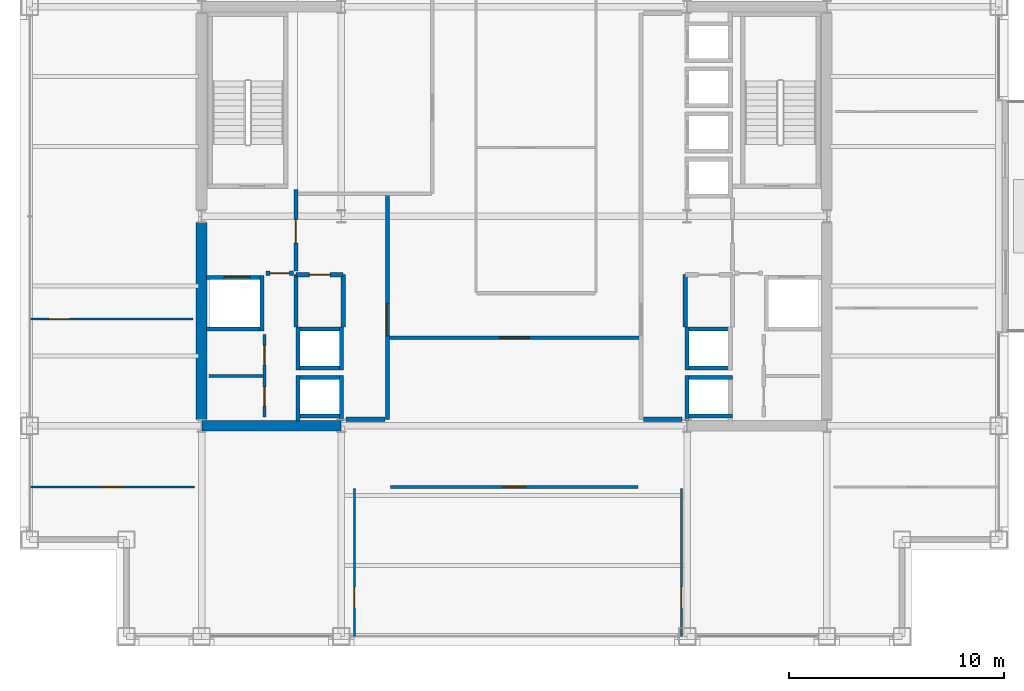
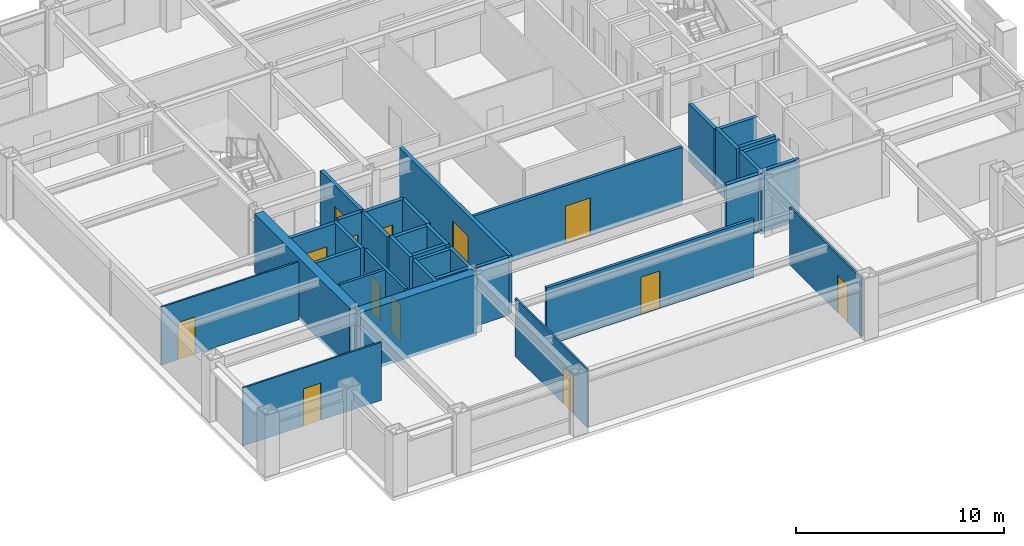
# One storey, part 24 of 29: 36 walls, 13 doors, 13 openings.
"""IFC4 building model written with IfcOpenShell, lengths in metres."""

from ifc_helpers import new_model, si_unit, direction, frame, frame_2d, origin, place, context, subcontext, project, spatial, rectangle, extrude, material, layer, layer_set, type_object, element, fill, save


model = new_model("IFC4")

# Units and contexts
model_context = context("Model", 3, precision=1e-05, world=origin(), true_north=direction((0.0, 1.0)))
body_context = subcontext(model_context, "Body", "Model", "MODEL_VIEW")
ifc_project = project(units=[si_unit("LENGTHUNIT", "METRE"), si_unit("AREAUNIT", "SQUARE_METRE"), si_unit("VOLUMEUNIT", "CUBIC_METRE"), si_unit("PLANEANGLEUNIT", "RADIAN"), si_unit("MASSUNIT", "GRAM", prefix="KILO")], contexts=[model_context])

# Site, building, storey
site_placement = place(None, origin())
site = spatial("IfcSite", under=ifc_project, at=site_placement, CompositionType="ELEMENT")
building_placement = place(site_placement, origin())
building = spatial("IfcBuilding", under=site, at=building_placement, Name="Brelmoor Portico Tower", CompositionType="ELEMENT")
storey_placement = place(building_placement, frame((0.0, 0.0, 127.800048828125)))
storey = spatial("IfcBuildingStorey", under=building, at=storey_placement, Name="L33", CompositionType="ELEMENT", Elevation=127.800048828125)

# Walls
ifc_material_1 = material(Name="Concrete C60", Category="concrete")
ifc_layer_1 = layer(ifc_material_1, 0.5)
ifc_layer_set_1 = layer_set([ifc_layer_1], Name="Concrete C60")
wall_type_1 = type_object("IfcWallType", Name="WL-CORE-500", PredefinedType="SHEAR", material=ifc_layer_set_1)
wall_1_placement = place(storey_placement, frame((-14.530029296875, -9.75, -0.199951171875), z_axis=(0.0, 0.0, 1.0), x_axis=(1.0, 0.0, 0.0)))
element("IfcWall", 1, at=wall_1_placement, inside=storey, type_object=wall_type_1, Name="L33 WC South Shear Wall", PredefinedType="SHEAR", context=body_context, shape_type="SweptSolid", body=[
    extrude(rectangle(XDim=6.4599609375, YDim=0.5, at=frame_2d((3.22998046875, 0.0))), origin(), (0.0, 0.0, 1.0), 3.599853515625),
])
wall_2_placement = place(storey_placement, frame((-14.550048828125, -9.449951171875, -0.199951171875), z_axis=(0.0, 0.0, 1.0), x_axis=(0.0, 1.0, 0.0)))
element("IfcWall", 2, at=wall_2_placement, inside=storey, type_object=wall_type_1, Name="L33 WC Outer South Shear Wall", PredefinedType="SHEAR", context=body_context, shape_type="SweptSolid", body=[
    extrude(rectangle(XDim=9.14990234375, YDim=0.5, at=frame_2d((4.574951171875, 0.0))), origin(), (0.0, 0.0, 1.0), 3.599853515625),
])

# Wall, opening, door
ifc_material_2 = material(Name="Demountable Glazed Office Partition", Category="aluminium")
ifc_layer_2 = layer(ifc_material_2, 0.10009765625)
ifc_layer_set_2 = layer_set([ifc_layer_2], Name="Demountable Glazed Office Partition")
wall_type_2 = type_object("IfcWallType", Name="WL-PART-100", PredefinedType="PARTITIONING", material=ifc_layer_set_2)
wall_3_placement = place(storey_placement, frame((-7.4404296875, -19.56005859375, 0.0), z_axis=(0.0, 0.0, 1.0), x_axis=(0.0, 1.0, 0.0)))
wall_3 = element("IfcWall", 3, at=wall_3_placement, inside=storey, type_object=wall_type_2, Name="L33 South Suite Partition 1", PredefinedType="PARTITIONING", context=body_context, shape_type="SweptSolid", body=[
    extrude(rectangle(XDim=6.900146484375, YDim=0.10009765625, at=frame_2d((3.4501953125, 0.0))), origin(), (0.0, 0.0, 1.0), 3.39990234375),
])
opening_1_placement = place(wall_3_placement, frame((1.340087890625, 0.0, 0.0)))
opening_1 = element("IfcOpeningElement", 4, at=opening_1_placement, cuts=wall_3, Name="Opening D-IN2", PredefinedType="OPENING", context=body_context, shape_type="SweptSolid", body=[
    extrude(rectangle(XDim=0.9599609375, YDim=2.179931640625, at=frame_2d((0.47998046875, 1.08984375))), frame((0.0, 0.06005859375, 0.0), z_axis=(0.0, -1.0, 0.0), x_axis=(1.0, 0.0, 0.0)), (0.0, 0.0, 1.0), 0.1201171875),
])
ifc_material_3 = material(Name="Lacquered Timber Suite Door", Category="wood")
door_type_1 = type_object("IfcDoorType", Name="DR-INT-950", OperationType="NOTDEFINED", PredefinedType="DOOR", material=ifc_material_3)
door_1_placement = place(opening_1_placement, origin())
door_1 = element("IfcDoor", 5, at=door_1_placement, inside=storey, type_object=door_type_1, Name="D-1453 L33 South Suite Connecting Door 1", OperationType="SINGLE_SWING_LEFT", OverallHeight=2.179931640625, OverallWidth=0.9599609375, PredefinedType="DOOR", context=body_context, shape_type="SweptSolid", body=[
    extrude(rectangle(XDim=0.9599609375, YDim=2.179931640625, at=frame_2d((0.47998046875, 1.08984375))), frame((0.0, 0.02490234375, 0.0), z_axis=(0.0, -1.0, 0.0), x_axis=(1.0, 0.0, 0.0)), (0.0, 0.0, 1.0), 0.050048828125),
])
fill(opening_1, door_1)

wall_4_placement = place(storey_placement, frame((7.778564453125, -19.56005859375, 0.0), z_axis=(0.0, 0.0, 1.0), x_axis=(0.0, 1.0, 0.0)))
wall_4 = element("IfcWall", 6, at=wall_4_placement, inside=storey, type_object=wall_type_2, Name="L33 South Suite Partition 2", PredefinedType="PARTITIONING", context=body_context, shape_type="SweptSolid", body=[
    extrude(rectangle(XDim=6.900146484375, YDim=0.10009765625, at=frame_2d((3.4501953125, 0.0))), origin(), (0.0, 0.0, 1.0), 3.39990234375),
])
opening_2_placement = place(wall_4_placement, frame((1.340087890625, 0.0, 0.0)))
opening_2 = element("IfcOpeningElement", 7, at=opening_2_placement, cuts=wall_4, Name="Opening D-IN2", PredefinedType="OPENING", context=body_context, shape_type="SweptSolid", body=[
    extrude(rectangle(XDim=0.9599609375, YDim=2.179931640625, at=frame_2d((0.47998046875, 1.08984375))), frame((0.0, 0.06005859375, 0.0), z_axis=(0.0, -1.0, 0.0), x_axis=(1.0, 0.0, 0.0)), (0.0, 0.0, 1.0), 0.1201171875),
])
door_2_placement = place(opening_2_placement, origin())
door_2 = element("IfcDoor", 8, at=door_2_placement, inside=storey, type_object=door_type_1, Name="D-1454 L33 South Suite Connecting Door 2", OperationType="SINGLE_SWING_RIGHT", OverallHeight=2.179931640625, OverallWidth=0.9599609375, PredefinedType="DOOR", context=body_context, shape_type="SweptSolid", body=[
    extrude(rectangle(XDim=0.9599609375, YDim=2.179931640625, at=frame_2d((0.47998046875, 1.08984375))), frame((0.0, 0.02490234375, 0.0), z_axis=(0.0, -1.0, 0.0), x_axis=(1.0, 0.0, 0.0)), (0.0, 0.0, 1.0), 0.050048828125),
])
fill(opening_2, door_2)

wall_5_placement = place(storey_placement, frame((-22.56005859375, -12.60009765625, 0.0), z_axis=(0.0, 0.0, 1.0), x_axis=(1.0, 0.0, 0.0)))
wall_5 = element("IfcWall", 9, at=wall_5_placement, inside=storey, type_object=wall_type_2, Name="L33 South Wing Closure WL", PredefinedType="PARTITIONING", context=body_context, shape_type="SweptSolid", body=[
    extrude(rectangle(XDim=7.68017578125, YDim=0.10009765625, at=frame_2d((3.840087890625, 0.0))), origin(), (0.0, 0.0, 1.0), 3.39990234375),
])
opening_3_placement = place(wall_5_placement, frame((3.360107421875, 0.0, 0.0)))
opening_3 = element("IfcOpeningElement", 10, at=opening_3_placement, cuts=wall_5, Name="Opening D-IN2", PredefinedType="OPENING", context=body_context, shape_type="SweptSolid", body=[
    extrude(rectangle(XDim=0.9599609375, YDim=2.179931640625, at=frame_2d((0.47998046875, 1.08984375))), frame((0.0, 0.06005859375, 0.0), z_axis=(0.0, -1.0, 0.0), x_axis=(1.0, 0.0, 0.0)), (0.0, 0.0, 1.0), 0.1201171875),
])
door_3_placement = place(opening_3_placement, origin())
door_3 = element("IfcDoor", 11, at=door_3_placement, inside=storey, type_object=door_type_1, Name="D-1458 L33 WL Wing South Suite Door", OperationType="SINGLE_SWING_RIGHT", OverallHeight=2.179931640625, OverallWidth=0.9599609375, PredefinedType="DOOR", context=body_context, shape_type="SweptSolid", body=[
    extrude(rectangle(XDim=0.9599609375, YDim=2.179931640625, at=frame_2d((0.47998046875, 1.08984375))), frame((0.0, 0.02490234375, 0.0), z_axis=(0.0, -1.0, 0.0), x_axis=(1.0, 0.0, 0.0)), (0.0, 0.0, 1.0), 0.050048828125),
])
fill(opening_3, door_3)

wall_6_placement = place(storey_placement, frame((-22.56005859375, -4.788330078125, 0.0), z_axis=(0.0, 0.0, 1.0), x_axis=(1.0, 0.0, 0.0)))
wall_6 = element("IfcWall", 12, at=wall_6_placement, inside=storey, type_object=wall_type_2, Name="L33 W Wing Partition 1", PredefinedType="PARTITIONING", context=body_context, shape_type="SweptSolid", body=[
    extrude(rectangle(XDim=7.60009765625, YDim=0.10009765625, at=frame_2d((3.800048828125, 0.0))), origin(), (0.0, 0.0, 1.0), 3.39990234375),
])
opening_4_placement = place(wall_6_placement, frame((0.89990234375, 0.0, 0.0)))
opening_4 = element("IfcOpeningElement", 13, at=opening_4_placement, cuts=wall_6, Name="Opening D-IN2", PredefinedType="OPENING", context=body_context, shape_type="SweptSolid", body=[
    extrude(rectangle(XDim=0.9599609375, YDim=2.179931640625, at=frame_2d((0.47998046875, 1.08984375))), frame((0.0, 0.06005859375, 0.0), z_axis=(0.0, -1.0, 0.0), x_axis=(1.0, 0.0, 0.0)), (0.0, 0.0, 1.0), 0.1201171875),
])
door_4_placement = place(opening_4_placement, origin())
door_4 = element("IfcDoor", 14, at=door_4_placement, inside=storey, type_object=door_type_1, Name="D-1465 L33 W Wing Suite Connecting Door 1", OperationType="SINGLE_SWING_LEFT", OverallHeight=2.179931640625, OverallWidth=0.9599609375, PredefinedType="DOOR", context=body_context, shape_type="SweptSolid", body=[
    extrude(rectangle(XDim=0.9599609375, YDim=2.179931640625, at=frame_2d((0.47998046875, 1.08984375))), frame((0.0, 0.02490234375, 0.0), z_axis=(0.0, -1.0, 0.0), x_axis=(1.0, 0.0, 0.0)), (0.0, 0.0, 1.0), 0.050048828125),
])
fill(opening_4, door_4)

# Wall
ifc_material_4 = material(Name="Insulated Stud Suite Partition", Category="gypsum")
ifc_layer_3 = layer(ifc_material_4, 0.139892578125)
ifc_layer_set_3 = layer_set([ifc_layer_3], Name="Insulated Stud Suite Partition")
wall_type_3 = type_object("IfcWallType", Name="WL-PART-140", PredefinedType="PARTITIONING", material=ifc_layer_set_3)
wall_7_placement = place(storey_placement, frame((-11.699951171875, -7.425048828125, 0.0), z_axis=(0.0, 0.0, 1.0), x_axis=(-1.0, 0.0, 0.0)))
element("IfcWall", 15, at=wall_7_placement, inside=storey, type_object=wall_type_3, Name="L33 W Core WC Divider 1", PredefinedType="PARTITIONING", context=body_context, shape_type="SweptSolid", body=[
    extrude(rectangle(XDim=2.5, YDim=0.139892578125, at=frame_2d((1.25, 0.0))), origin(), (0.0, 0.0, 1.0), 3.39990234375),
])

# Wall, openings, doors
ifc_material_5 = material(Name="Twin-Frame Acoustic Partition", Category="gypsum")
ifc_layer_4 = layer(ifc_material_5, 0.159912109375)
ifc_layer_set_4 = layer_set([ifc_layer_4], Name="Twin-Frame Acoustic Partition")
wall_type_4 = type_object("IfcWallType", Name="WL-PART-160", PredefinedType="PARTITIONING", material=ifc_layer_set_4)
wall_8_placement = place(storey_placement, frame((-11.6201171875, -9.35009765625, 0.0), z_axis=(0.0, 0.0, 1.0), x_axis=(0.0, 1.0, 0.0)))
wall_8 = element("IfcWall", 16, at=wall_8_placement, inside=storey, type_object=wall_type_4, Name="L33 W Core Service Front Wall", PredefinedType="PARTITIONING", context=body_context, shape_type="SweptSolid", body=[
    extrude(rectangle(XDim=3.85009765625, YDim=0.159912109375, at=frame_2d((1.925048828125, 0.0))), origin(), (0.0, 0.0, 1.0), 3.39990234375),
])
opening_5_placement = place(wall_8_placement, frame((0.512451171875, 0.0, 0.0)))
opening_5 = element("IfcOpeningElement", 17, at=opening_5_placement, cuts=wall_8, Name="Opening D-IN1", PredefinedType="OPENING", context=body_context, shape_type="SweptSolid", body=[
    extrude(rectangle(XDim=0.89990234375, YDim=2.14990234375, at=frame_2d((0.449951171875, 1.074951171875))), frame((0.0, 0.08984375, 0.0), z_axis=(0.0, -1.0, 0.0), x_axis=(1.0, 0.0, 0.0)), (0.0, 0.0, 1.0), 0.179931640625),
])
opening_6_placement = place(wall_8_placement, frame((2.4375, 0.0, 0.0)))
opening_6 = element("IfcOpeningElement", 18, at=opening_6_placement, cuts=wall_8, Name="Opening D-IN1", PredefinedType="OPENING", context=body_context, shape_type="SweptSolid", body=[
    extrude(rectangle(XDim=0.89990234375, YDim=2.14990234375, at=frame_2d((0.449951171875, 1.074951171875))), frame((0.0, 0.08984375, 0.0), z_axis=(0.0, -1.0, 0.0), x_axis=(1.0, 0.0, 0.0)), (0.0, 0.0, 1.0), 0.179931640625),
])
door_type_2 = type_object("IfcDoorType", Name="DR-INT-900", OperationType="NOTDEFINED", PredefinedType="DOOR", material=ifc_material_3)
door_5_placement = place(opening_5_placement, origin())
door_5 = element("IfcDoor", 19, at=door_5_placement, inside=storey, type_object=door_type_2, Name="D-1440 L33 W Accessible WC Door", OperationType="SINGLE_SWING_LEFT", OverallHeight=2.14990234375, OverallWidth=0.89990234375, PredefinedType="DOOR", context=body_context, shape_type="SweptSolid", body=[
    extrude(rectangle(XDim=0.89990234375, YDim=2.14990234375, at=frame_2d((0.449951171875, 1.074951171875))), frame((0.0, 0.02490234375, 0.0), z_axis=(0.0, -1.0, 0.0), x_axis=(1.0, 0.0, 0.0)), (0.0, 0.0, 1.0), 0.050048828125),
])
fill(opening_5, door_5)
door_6_placement = place(opening_6_placement, origin())
door_6 = element("IfcDoor", 20, at=door_6_placement, inside=storey, type_object=door_type_2, Name="D-1441 L33 W Staff WC Door", OperationType="SINGLE_SWING_RIGHT", OverallHeight=2.14990234375, OverallWidth=0.89990234375, PredefinedType="DOOR", context=body_context, shape_type="SweptSolid", body=[
    extrude(rectangle(XDim=0.89990234375, YDim=2.14990234375, at=frame_2d((0.449951171875, 1.074951171875))), frame((0.0, 0.02490234375, 0.0), z_axis=(0.0, -1.0, 0.0), x_axis=(1.0, 0.0, 0.0)), (0.0, 0.0, 1.0), 0.050048828125),
])
fill(opening_6, door_6)

# Wall, opening, door
wall_9_placement = place(storey_placement, frame((-5.800048828125, -5.64990234375, 0.0), z_axis=(0.0, 0.0, 1.0), x_axis=(1.0, 0.0, 0.0)))
wall_9 = element("IfcWall", 21, at=wall_9_placement, inside=storey, type_object=wall_type_4, Name="L33 South Hub Corridor Wall", PredefinedType="PARTITIONING", context=body_context, shape_type="SweptSolid", body=[
    extrude(rectangle(XDim=11.60009765625, YDim=0.159912109375, at=frame_2d((5.800048828125, 0.0))), origin(), (0.0, 0.0, 1.0), 3.39990234375),
])
opening_7_placement = place(wall_9_placement, frame((5.10009765625, 0.0, 0.0)))
opening_7 = element("IfcOpeningElement", 22, at=opening_7_placement, cuts=wall_9, Name="Opening D-SU2", PredefinedType="OPENING", context=body_context, shape_type="SweptSolid", body=[
    extrude(rectangle(XDim=1.39990234375, YDim=2.199951171875, at=frame_2d((0.699951171875, 1.10009765625))), frame((0.0, 0.08984375, 0.0), z_axis=(0.0, -1.0, 0.0), x_axis=(1.0, 0.0, 0.0)), (0.0, 0.0, 1.0), 0.179931640625),
])
ifc_material_6 = material(Name="Double-Leaf Acoustic Suite Door", Category="timber")
door_type_3 = type_object("IfcDoorType", Name="DR-SUITE-1400", OperationType="NOTDEFINED", PredefinedType="DOOR", material=ifc_material_6)
door_7_placement = place(opening_7_placement, origin())
door_7 = element("IfcDoor", 23, at=door_7_placement, inside=storey, type_object=door_type_3, Name="D-1433 L33 South Reception Hub Door", OperationType="DOUBLE_DOOR_SINGLE_SWING", OverallHeight=2.199951171875, OverallWidth=1.39990234375, PredefinedType="DOOR", context=body_context, shape_type="SweptSolid", body=[
    extrude(rectangle(XDim=1.39990234375, YDim=2.199951171875, at=frame_2d((0.699951171875, 1.10009765625))), frame((0.0, 0.02490234375, 0.0), z_axis=(0.0, -1.0, 0.0), x_axis=(1.0, 0.0, 0.0)), (0.0, 0.0, 1.0), 0.050048828125),
])
fill(opening_7, door_7)

wall_10_placement = place(storey_placement, frame((-5.75, -12.60009765625, 0.0), z_axis=(0.0, 0.0, 1.0), x_axis=(1.0, 0.0, 0.0)))
wall_10 = element("IfcWall", 24, at=wall_10_placement, inside=storey, type_object=wall_type_4, Name="L33 South Corridor Partition", PredefinedType="PARTITIONING", context=body_context, shape_type="SweptSolid", body=[
    extrude(rectangle(XDim=11.5, YDim=0.159912109375, at=frame_2d((5.75, 0.0))), origin(), (0.0, 0.0, 1.0), 3.39990234375),
])
opening_8_placement = place(wall_10_placement, frame((5.219970703125, 0.0, 0.0)))
opening_8 = element("IfcOpeningElement", 25, at=opening_8_placement, cuts=wall_10, Name="Opening D-OF2", PredefinedType="OPENING", context=body_context, shape_type="SweptSolid", body=[
    extrude(rectangle(XDim=1.06005859375, YDim=2.199951171875, at=frame_2d((0.530029296875, 1.10009765625))), frame((0.0, 0.08984375, 0.0), z_axis=(0.0, -1.0, 0.0), x_axis=(1.0, 0.0, 0.0)), (0.0, 0.0, 1.0), 0.179931640625),
])
ifc_material_7 = material(Name="Hardwood Acoustic Veneer Door", Category="wood")
door_type_4 = type_object("IfcDoorType", Name="DR-OFFICE-1050", OperationType="NOTDEFINED", PredefinedType="DOOR", material=ifc_material_7)
door_8_placement = place(opening_8_placement, origin())
door_8 = element("IfcDoor", 26, at=door_8_placement, inside=storey, type_object=door_type_4, Name="D-1452 L33 South Technical Storage 2 Door", OperationType="SINGLE_SWING_LEFT", OverallHeight=2.199951171875, OverallWidth=1.06005859375, PredefinedType="DOOR", context=body_context, shape_type="SweptSolid", body=[
    extrude(rectangle(XDim=1.06005859375, YDim=2.199951171875, at=frame_2d((0.530029296875, 1.10009765625))), frame((0.0, 0.02490234375, 0.0), z_axis=(0.0, -1.0, 0.0), x_axis=(1.0, 0.0, 0.0)), (0.0, 0.0, 1.0), 0.050048828125),
])
fill(opening_8, door_8)

ifc_material_8 = material(Name="Double-Stud Gypsum Fire Partition", Category="gypsum")
ifc_layer_5 = layer(ifc_material_8, 0.199951171875)
ifc_layer_set_5 = layer_set([ifc_layer_5], Name="Double-Stud Gypsum Fire Partition")
wall_type_5 = type_object("IfcWallType", Name="WL-PART-200", PredefinedType="PARTITIONING", material=ifc_layer_set_5)
wall_11_placement = place(storey_placement, frame((-5.89990234375, -9.449951171875, 0.0), z_axis=(0.0, 0.0, 1.0), x_axis=(0.0, 1.0, 0.0)))
wall_11 = element("IfcWall", 27, at=wall_11_placement, inside=storey, type_object=wall_type_5, Name="L33 W Core Lobby Compartment Wall", PredefinedType="PARTITIONING", context=body_context, shape_type="SweptSolid", body=[
    extrude(rectangle(XDim=10.5, YDim=0.199951171875, at=frame_2d((5.25, 0.0))), origin(), (0.0, 0.0, 1.0), 3.39990234375),
])
opening_9_placement = place(wall_11_placement, frame((3.89990234375, 0.0, 0.0)))
opening_9 = element("IfcOpeningElement", 28, at=opening_9_placement, cuts=wall_11, Name="Opening D-LB1", PredefinedType="OPENING", context=body_context, shape_type="SweptSolid", body=[
    extrude(rectangle(XDim=1.5, YDim=2.199951171875, at=frame_2d((0.75, 1.10009765625))), frame((0.0, 0.10986328125, 0.0), z_axis=(0.0, -1.0, 0.0), x_axis=(1.0, 0.0, 0.0)), (0.0, 0.0, 1.0), 0.219970703125),
])
ifc_material_9 = material(Name="Double-Leaf Glazed Steel Fire Door", Category="steel")
door_type_5 = type_object("IfcDoorType", Name="DR-LOBBY-1500", OperationType="NOTDEFINED", PredefinedType="DOOR", material=ifc_material_9)
door_9_placement = place(opening_9_placement, origin())
door_9 = element("IfcDoor", 29, at=door_9_placement, inside=storey, type_object=door_type_5, Name="D-1447 L33 W Lift Lobby Main Door", OperationType="DOUBLE_DOOR_SINGLE_SWING", OverallHeight=2.199951171875, OverallWidth=1.5, PredefinedType="DOOR", context=body_context, shape_type="SweptSolid", body=[
    extrude(rectangle(XDim=1.5, YDim=2.199951171875, at=frame_2d((0.75, 1.10009765625))), frame((0.0, 0.02490234375, 0.0), z_axis=(0.0, -1.0, 0.0), x_axis=(1.0, 0.0, 0.0)), (0.0, 0.0, 1.0), 0.050048828125),
])
fill(opening_9, door_9)

# Wall
wall_12_placement = place(storey_placement, frame((-6.02001953125, -9.449951171875, 0.0), z_axis=(0.0, 0.0, 1.0), x_axis=(-1.0, 0.0, 0.0)))
element("IfcWall", 30, at=wall_12_placement, inside=storey, type_object=wall_type_5, Name="L33 W Lift Lobby South End Wall", PredefinedType="PARTITIONING", context=body_context, shape_type="SweptSolid", body=[
    extrude(rectangle(XDim=1.800048828125, YDim=0.199951171875, at=frame_2d((0.89990234375, 0.0))), origin(), (0.0, 0.0, 1.0), 3.39990234375),
])

# Wall, opening, door
wall_13_placement = place(storey_placement, frame((-10.159912109375, -2.550048828125, 0.0), z_axis=(0.0, 0.0, 1.0), x_axis=(0.0, 1.0, 0.0)))
wall_13 = element("IfcWall", 31, at=wall_13_placement, inside=storey, type_object=wall_type_5, Name="L33 W Firefighting Lobby Wall", PredefinedType="PARTITIONING", context=body_context, shape_type="SweptSolid", body=[
    extrude(rectangle(XDim=3.800048828125, YDim=0.199951171875, at=frame_2d((1.89990234375, 0.0))), origin(), (0.0, 0.0, 1.0), 3.39990234375),
])
opening_10_placement = place(wall_13_placement, frame((1.300048828125, 0.0, 0.0)))
opening_10 = element("IfcOpeningElement", 32, at=opening_10_placement, cuts=wall_13, Name="Opening D-FR1", PredefinedType="OPENING", context=body_context, shape_type="SweptSolid", body=[
    extrude(rectangle(XDim=1.10009765625, YDim=2.14990234375, at=frame_2d((0.550048828125, 1.074951171875))), frame((0.0, 0.10986328125, 0.0), z_axis=(0.0, -1.0, 0.0), x_axis=(1.0, 0.0, 0.0)), (0.0, 0.0, 1.0), 0.219970703125),
])
ifc_material_10 = material(Name="Painted Galvanised Steel Fire Door", Category="steel")
door_type_6 = type_object("IfcDoorType", Name="DR-FIRE-1100", OperationType="NOTDEFINED", PredefinedType="DOOR", material=ifc_material_10)
door_10_placement = place(opening_10_placement, origin())
door_10 = element("IfcDoor", 33, at=door_10_placement, inside=storey, type_object=door_type_6, Name="D-1445 L33 W Firefighting Lobby Door", OperationType="SINGLE_SWING_RIGHT", OverallHeight=2.14990234375, OverallWidth=1.10009765625, PredefinedType="DOOR", context=body_context, shape_type="SweptSolid", body=[
    extrude(rectangle(XDim=1.10009765625, YDim=2.14990234375, at=frame_2d((0.550048828125, 1.074951171875))), frame((0.0, 0.02490234375, 0.0), z_axis=(0.0, -1.0, 0.0), x_axis=(1.0, 0.0, 0.0)), (0.0, 0.0, 1.0), 0.050048828125),
])
fill(opening_10, door_10)

wall_14_placement = place(storey_placement, frame((-10.280029296875, -2.64990234375, 0.0), z_axis=(0.0, 0.0, 1.0), x_axis=(-1.0, 0.0, 0.0)))
wall_14 = element("IfcWall", 34, at=wall_14_placement, inside=storey, type_object=wall_type_5, Name="L33 W Firefighting Lobby South Wall", PredefinedType="PARTITIONING", context=body_context, shape_type="SweptSolid", body=[
    extrude(rectangle(XDim=1.27001953125, YDim=0.199951171875, at=frame_2d((0.635009765625, 0.0))), origin(), (0.0, 0.0, 1.0), 3.39990234375),
])
opening_11_placement = place(wall_14_placement, frame((0.18505859375, 0.0, 0.0)))
opening_11 = element("IfcOpeningElement", 35, at=opening_11_placement, cuts=wall_14, Name="Opening D-IN1", PredefinedType="OPENING", context=body_context, shape_type="SweptSolid", body=[
    extrude(rectangle(XDim=0.89990234375, YDim=2.14990234375, at=frame_2d((0.449951171875, 1.074951171875))), frame((0.0, 0.10986328125, 0.0), z_axis=(0.0, -1.0, 0.0), x_axis=(1.0, 0.0, 0.0)), (0.0, 0.0, 1.0), 0.219970703125),
])
door_11_placement = place(opening_11_placement, origin())
door_11 = element("IfcDoor", 36, at=door_11_placement, inside=storey, type_object=door_type_2, Name="D-1439 L33 W Core Service Vestibule Door", OperationType="SINGLE_SWING_LEFT", OverallHeight=2.14990234375, OverallWidth=0.89990234375, PredefinedType="DOOR", context=body_context, shape_type="SweptSolid", body=[
    extrude(rectangle(XDim=0.89990234375, YDim=2.14990234375, at=frame_2d((0.449951171875, 1.074951171875))), frame((0.0, 0.02490234375, 0.0), z_axis=(0.0, -1.0, 0.0), x_axis=(1.0, 0.0, 0.0)), (0.0, 0.0, 1.0), 0.050048828125),
])
fill(opening_11, door_11)

wall_15_placement = place(storey_placement, frame((-7.9599609375, -2.719970703125, 0.0), z_axis=(0.0, 0.0, 1.0), x_axis=(-1.0, 0.0, 0.0)))
wall_15 = element("IfcWall", 37, at=wall_15_placement, inside=storey, type_object=wall_type_5, Name="L33 W Electrical Switchgear Closet Wall", PredefinedType="PARTITIONING", context=body_context, shape_type="SweptSolid", body=[
    extrude(rectangle(XDim=2.199951171875, YDim=0.199951171875, at=frame_2d((1.10009765625, 0.0))), origin(), (0.0, 0.0, 1.0), 3.39990234375),
])
opening_12_placement = place(wall_15_placement, frame((0.6201171875, 0.0, 0.0)))
opening_12 = element("IfcOpeningElement", 38, at=opening_12_placement, cuts=wall_15, Name="Opening D-FR4", PredefinedType="OPENING", context=body_context, shape_type="SweptSolid", body=[
    extrude(rectangle(XDim=0.949951171875, YDim=2.10009765625, at=frame_2d((0.47509765625, 1.050048828125))), frame((0.0, 0.10986328125, 0.0), z_axis=(0.0, -1.0, 0.0), x_axis=(1.0, 0.0, 0.0)), (0.0, 0.0, 1.0), 0.219970703125),
])
ifc_material_11 = material(Name="Painted Galvanised Steel Riser Door", Category="steel")
door_type_7 = type_object("IfcDoorType", Name="DR-FIRE-950", OperationType="NOTDEFINED", PredefinedType="DOOR", material=ifc_material_11)
door_12_placement = place(opening_12_placement, origin())
door_12 = element("IfcDoor", 39, at=door_12_placement, inside=storey, type_object=door_type_7, Name="D-1443 L33 W Electrical Switchgear Closet Door", OperationType="SINGLE_SWING_RIGHT", OverallHeight=2.10009765625, OverallWidth=0.949951171875, PredefinedType="DOOR", context=body_context, shape_type="SweptSolid", body=[
    extrude(rectangle(XDim=0.949951171875, YDim=2.10009765625, at=frame_2d((0.47509765625, 1.050048828125))), frame((0.0, 0.02490234375, 0.0), z_axis=(0.0, -1.0, 0.0), x_axis=(1.0, 0.0, 0.0)), (0.0, 0.0, 1.0), 0.050048828125),
])
fill(opening_12, door_12)

# Walls
for number, where, z_axis, x_axis, name in (
    (40, (-7.9599609375, -5.159912109375, 0.0), (0.0, 0.0, 1.0), (0.0, 1.0, 0.0), "L33 W Electrical Switchgear Closet Inner Wall"),
    (41, (-10.159912109375, -5.159912109375, 0.0), (0.0, 0.0, 1.0), (0.0, 1.0, 0.0), "L33 W Electrical Switchgear Closet Outer Wall"),
):
    element("IfcWall", number, at=place(storey_placement, frame(where, z_axis=z_axis, x_axis=x_axis)), inside=storey, type_object=wall_type_5, Name=name, PredefinedType="PARTITIONING", context=body_context, shape_type="SweptSolid", body=[
        extrude(rectangle(XDim=2.43994140625, YDim=0.199951171875, at=frame_2d((1.219970703125, 0.0))), origin(), (0.0, 0.0, 1.0), 3.39990234375),
    ])
wall_16_placement = place(storey_placement, frame((6.02001953125, -9.449951171875, 0.0), z_axis=(0.0, 0.0, 1.0), x_axis=(1.0, 0.0, 0.0)))
element("IfcWall", 42, at=wall_16_placement, inside=storey, type_object=wall_type_5, Name="L33 E Lift Lobby South End Wall", PredefinedType="PARTITIONING", context=body_context, shape_type="SweptSolid", body=[
    extrude(rectangle(XDim=1.800048828125, YDim=0.199951171875, at=frame_2d((0.89990234375, 0.0))), origin(), (0.0, 0.0, 1.0), 3.39990234375),
])
wall_17_placement = place(storey_placement, frame((7.9599609375, -5.159912109375, 0.0), z_axis=(0.0, 0.0, 1.0), x_axis=(0.0, 1.0, 0.0)))
element("IfcWall", 43, at=wall_17_placement, inside=storey, type_object=wall_type_5, Name="L33 E Electrical Switchgear Closet Inner Wall", PredefinedType="PARTITIONING", context=body_context, shape_type="SweptSolid", body=[
    extrude(rectangle(XDim=2.43994140625, YDim=0.199951171875, at=frame_2d((1.219970703125, 0.0))), origin(), (0.0, 0.0, 1.0), 3.39990234375),
])
ifc_material_12 = material(Name="Precast Concrete C40", Category="concrete")
ifc_layer_6 = layer(ifc_material_12, 0.18994140625)
ifc_layer_set_6 = layer_set([ifc_layer_6], Name="Precast Concrete C40")
wall_type_6 = type_object("IfcWallType", Name="WL-SHAFT-180", PredefinedType="SOLIDWALL", material=ifc_layer_set_6)
for number, where, z_axis, x_axis, name in (
    (44, (-8.044921875, -9.52001953125, -0.199951171875), (0.0, 0.0, 1.0), (0.0, 1.0, 0.0), "L33 Lift PH1 Hoistway Front Wall"),
    (45, (-10.054931640625, -9.52001953125, -0.199951171875), (0.0, 0.0, 1.0), (0.0, 1.0, 0.0), "L33 Lift PH1 Hoistway Back Wall"),
):
    element("IfcWall", number, at=place(storey_placement, frame(where, z_axis=z_axis, x_axis=x_axis)), inside=storey, type_object=wall_type_6, Name=name, PredefinedType="SOLIDWALL", context=body_context, shape_type="SweptSolid", body=[
        extrude(rectangle(XDim=2.1201171875, YDim=0.18994140625, at=frame_2d((1.06005859375, 0.0))), origin(), (0.0, 0.0, 1.0), 3.599853515625),
    ])
for number, where, z_axis, x_axis, name in (
    (46, (-10.14990234375, -7.4951171875, -0.199951171875), (0.0, 0.0, 1.0), (1.0, 0.0, 0.0), "L33 Lift PH1 Hoistway North Wall"),
    (47, (-10.14990234375, -9.304931640625, -0.199951171875), (0.0, 0.0, 1.0), (1.0, 0.0, 0.0), "L33 Lift PH1 Hoistway South Wall"),
):
    element("IfcWall", number, at=place(storey_placement, frame(where, z_axis=z_axis, x_axis=x_axis)), inside=storey, type_object=wall_type_6, Name=name, PredefinedType="SOLIDWALL", context=body_context, shape_type="SweptSolid", body=[
        extrude(rectangle(XDim=2.199951171875, YDim=0.18994140625, at=frame_2d((1.10009765625, 0.0))), origin(), (0.0, 0.0, 1.0), 3.599853515625),
    ])
for number, where, z_axis, x_axis, name in (
    (48, (-8.044921875, -7.14990234375, -0.199951171875), (0.0, 0.0, 1.0), (0.0, 1.0, 0.0), "L33 Lift PH2 Hoistway Front Wall"),
    (49, (-10.054931640625, -7.14990234375, -0.199951171875), (0.0, 0.0, 1.0), (0.0, 1.0, 0.0), "L33 Lift PH2 Hoistway Back Wall"),
):
    element("IfcWall", number, at=place(storey_placement, frame(where, z_axis=z_axis, x_axis=x_axis)), inside=storey, type_object=wall_type_6, Name=name, PredefinedType="SOLIDWALL", context=body_context, shape_type="SweptSolid", body=[
        extrude(rectangle(XDim=2.0, YDim=0.18994140625, at=frame_2d((1.0, 0.0))), origin(), (0.0, 0.0, 1.0), 3.599853515625),
    ])
for number, where, z_axis, x_axis, name in (
    (50, (-10.14990234375, -5.2451171875, -0.199951171875), (0.0, 0.0, 1.0), (1.0, 0.0, 0.0), "L33 Lift PH2 Hoistway North Wall"),
    (51, (-10.14990234375, -7.054931640625, -0.199951171875), (0.0, 0.0, 1.0), (1.0, 0.0, 0.0), "L33 Lift PH2 Hoistway South Wall"),
):
    element("IfcWall", number, at=place(storey_placement, frame(where, z_axis=z_axis, x_axis=x_axis)), inside=storey, type_object=wall_type_6, Name=name, PredefinedType="SOLIDWALL", context=body_context, shape_type="SweptSolid", body=[
        extrude(rectangle(XDim=2.199951171875, YDim=0.18994140625, at=frame_2d((1.10009765625, 0.0))), origin(), (0.0, 0.0, 1.0), 3.599853515625),
    ])
wall_18_placement = place(storey_placement, frame((8.044921875, -9.52001953125, -0.199951171875), z_axis=(0.0, 0.0, 1.0), x_axis=(0.0, 1.0, 0.0)))
element("IfcWall", 52, at=wall_18_placement, inside=storey, type_object=wall_type_6, Name="L33 Lift PH3 Hoistway Front Wall", PredefinedType="SOLIDWALL", context=body_context, shape_type="SweptSolid", body=[
    extrude(rectangle(XDim=2.1201171875, YDim=0.18994140625, at=frame_2d((1.06005859375, 0.0))), origin(), (0.0, 0.0, 1.0), 3.599853515625),
])
for number, where, z_axis, x_axis, name in (
    (53, (7.949951171875, -7.4951171875, -0.199951171875), (0.0, 0.0, 1.0), (1.0, 0.0, 0.0), "L33 Lift PH3 Hoistway North Wall"),
    (54, (7.949951171875, -9.304931640625, -0.199951171875), (0.0, 0.0, 1.0), (1.0, 0.0, 0.0), "L33 Lift PH3 Hoistway South Wall"),
):
    element("IfcWall", number, at=place(storey_placement, frame(where, z_axis=z_axis, x_axis=x_axis)), inside=storey, type_object=wall_type_6, Name=name, PredefinedType="SOLIDWALL", context=body_context, shape_type="SweptSolid", body=[
        extrude(rectangle(XDim=2.199951171875, YDim=0.18994140625, at=frame_2d((1.10009765625, 0.0))), origin(), (0.0, 0.0, 1.0), 3.599853515625),
    ])
wall_19_placement = place(storey_placement, frame((8.044921875, -7.14990234375, -0.199951171875), z_axis=(0.0, 0.0, 1.0), x_axis=(0.0, 1.0, 0.0)))
element("IfcWall", 55, at=wall_19_placement, inside=storey, type_object=wall_type_6, Name="L33 Lift PH4 Hoistway Front Wall", PredefinedType="SOLIDWALL", context=body_context, shape_type="SweptSolid", body=[
    extrude(rectangle(XDim=2.0, YDim=0.18994140625, at=frame_2d((1.0, 0.0))), origin(), (0.0, 0.0, 1.0), 3.599853515625),
])
for number, where, z_axis, x_axis, name in (
    (56, (7.949951171875, -5.2451171875, -0.199951171875), (0.0, 0.0, 1.0), (1.0, 0.0, 0.0), "L33 Lift PH4 Hoistway North Wall"),
    (57, (7.949951171875, -7.054931640625, -0.199951171875), (0.0, 0.0, 1.0), (1.0, 0.0, 0.0), "L33 Lift PH4 Hoistway South Wall"),
):
    element("IfcWall", number, at=place(storey_placement, frame(where, z_axis=z_axis, x_axis=x_axis)), inside=storey, type_object=wall_type_6, Name=name, PredefinedType="SOLIDWALL", context=body_context, shape_type="SweptSolid", body=[
        extrude(rectangle(XDim=2.199951171875, YDim=0.18994140625, at=frame_2d((1.10009765625, 0.0))), origin(), (0.0, 0.0, 1.0), 3.599853515625),
    ])

# Wall, opening, door
wall_20_placement = place(storey_placement, frame((-14.330078125, -2.844970703125, -0.199951171875), z_axis=(0.0, 0.0, 1.0), x_axis=(1.0, 0.0, 0.0)))
wall_20 = element("IfcWall", 58, at=wall_20_placement, inside=storey, type_object=wall_type_6, Name="L33 Lift FF1 Hoistway Front Wall", PredefinedType="SOLIDWALL", context=body_context, shape_type="SweptSolid", body=[
    extrude(rectangle(XDim=2.68017578125, YDim=0.18994140625, at=frame_2d((1.340087890625, 0.0))), origin(), (0.0, 0.0, 1.0), 3.599853515625),
])
opening_13_placement = place(wall_20_placement, frame((0.830078125, 0.0, 0.199951171875)))
opening_13 = element("IfcOpeningElement", 59, at=opening_13_placement, cuts=wall_20, Name="Opening LD-02", PredefinedType="OPENING", context=body_context, shape_type="SweptSolid", body=[
    extrude(rectangle(XDim=1.199951171875, YDim=2.199951171875, at=frame_2d((0.60009765625, 1.10009765625))), frame((0.0, 0.10498046875, 0.0), z_axis=(0.0, -1.0, 0.0), x_axis=(1.0, 0.0, 0.0)), (0.0, 0.0, 1.0), 0.2099609375),
])
ifc_material_13 = material(Name="Brushed Stainless Steel Firefighting Lift Door", Category="steel")
door_type_8 = type_object("IfcDoorType", Name="DR-LIFT-1200", OperationType="NOTDEFINED", PredefinedType="DOOR", material=ifc_material_13)
door_13_placement = place(opening_13_placement, origin())
door_13 = element("IfcDoor", 60, at=door_13_placement, inside=storey, type_object=door_type_8, Name="D-1466 L33 Lift FF1 Sliding Landing Door", OperationType="SLIDING_TO_LEFT", OverallHeight=2.199951171875, OverallWidth=1.199951171875, PredefinedType="DOOR", context=body_context, shape_type="SweptSolid", body=[
    extrude(rectangle(XDim=1.199951171875, YDim=2.199951171875, at=frame_2d((0.60009765625, 1.10009765625))), frame((0.0, 0.02490234375, 0.0), z_axis=(0.0, -1.0, 0.0), x_axis=(1.0, 0.0, 0.0)), (0.0, 0.0, 1.0), 0.050048828125),
])
fill(opening_13, door_13)

# Walls
wall_21_placement = place(storey_placement, frame((-14.330078125, -5.2548828125, -0.199951171875), z_axis=(0.0, 0.0, 1.0), x_axis=(1.0, 0.0, 0.0)))
element("IfcWall", 61, at=wall_21_placement, inside=storey, type_object=wall_type_6, Name="L33 Firefighting Lift FF1 South Wall", PredefinedType="SOLIDWALL", context=body_context, shape_type="SweptSolid", body=[
    extrude(rectangle(XDim=2.68017578125, YDim=0.18994140625, at=frame_2d((1.340087890625, 0.0))), origin(), (0.0, 0.0, 1.0), 3.599853515625),
])
wall_22_placement = place(storey_placement, frame((-11.7451171875, -5.35009765625, -0.199951171875), z_axis=(0.0, 0.0, 1.0), x_axis=(0.0, 1.0, 0.0)))
element("IfcWall", 62, at=wall_22_placement, inside=storey, type_object=wall_type_6, Name="L33 Firefighting Lift FF1 Inner Wall", PredefinedType="SOLIDWALL", context=body_context, shape_type="SweptSolid", body=[
    extrude(rectangle(XDim=2.60009765625, YDim=0.18994140625, at=frame_2d((1.300048828125, 0.0))), origin(), (0.0, 0.0, 1.0), 3.599853515625),
])

save(model, "model.ifc")
